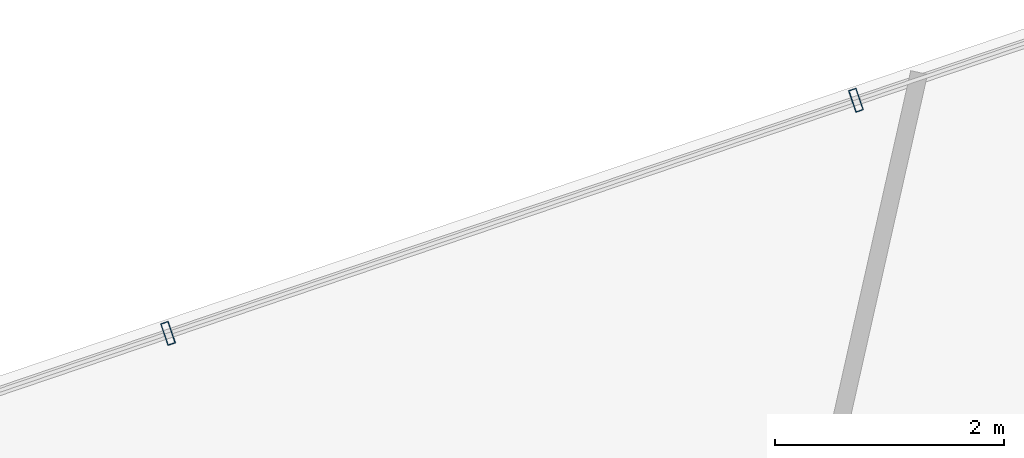
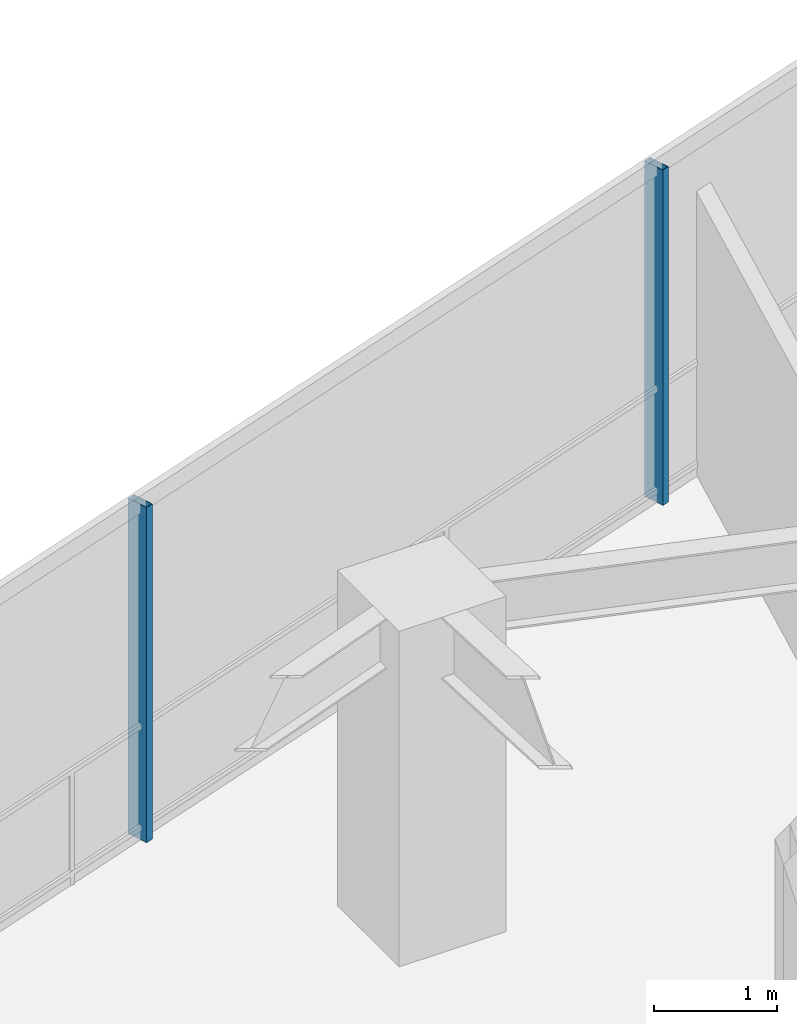
# One storey, part 13 of 20: 2 members, 1 element without a shape of its own.
"""IFC4 building model written with IfcOpenShell, lengths in metres."""

import ifcopenshell
import ifcopenshell.guid

model = None  # the IFC model being written
_history = None  # IfcOwnerHistory: only IFC2X3 demands one
_inside = {}  # id of a spatial element -> (the spatial element, [elements in it])
_under = {}  # id of a project, library or spatial element -> (it, [spatial elements below it])
_declared = {}  # id of a project -> (the project, [libraries it declares])
_typed = {}  # id of a type object -> (the type object, [elements of that type])
_made_of = {}  # id of a material, layer set ... -> (it, [elements and type objects made of it])


def new_model(schema):
    """Start an empty IFC model of exactly this schema.

    Asked for "IFC4X3", IfcOpenShell would pick the latest addendum, in which some entities
    have other attributes; the version numbers below select the first issue.
    IFC2X3 requires an IfcOwnerHistory on every rooted entity: one is made here for all.
    """
    global model, _history
    if schema == "IFC4X3":
        model = ifcopenshell.file(schema_version=(4, 3, 0, 0))
    else:
        model = ifcopenshell.file(schema=schema)
    _inside.clear()
    _under.clear()
    _declared.clear()
    _typed.clear()
    _made_of.clear()
    _history = None
    if model.schema == "IFC2X3":
        org = make("IfcOrganization", Name="unknown")
        user = make(
            "IfcPersonAndOrganization",
            ThePerson=make("IfcPerson", FamilyName="unknown"),
            TheOrganization=org,
        )
        app = make(
            "IfcApplication",
            ApplicationDeveloper=org,
            Version="unknown",
            ApplicationFullName="unknown",
            ApplicationIdentifier="unknown",
        )
        _history = make(
            "IfcOwnerHistory",
            OwningUser=user,
            OwningApplication=app,
            ChangeAction="ADDED",
            CreationDate=0,
        )
    return model


def make(cls, **values):
    """One entity of the class cls with the attributes given. An attribute that is None is left unset."""
    return model.create_entity(
        cls, **{name: value for name, value in values.items() if value is not None}
    )


def rooted(cls, **values):
    """An entity with a GlobalId (a new one), such as an element, a storey or a relation."""
    return make(cls, GlobalId=ifcopenshell.guid.new(), OwnerHistory=_history, **values)


def si_unit(unit_type, name, prefix=None):
    """IfcSIUnit, for example si_unit("LENGTHUNIT", "METRE", prefix="MILLI")."""
    return make("IfcSIUnit", UnitType=unit_type, Prefix=prefix, Name=name)


def assignment(units):
    """IfcUnitAssignment: the units of a project."""
    return None if units is None else make("IfcUnitAssignment", Units=units)


def point(xyz):
    """IfcCartesianPoint."""
    return None if xyz is None else make("IfcCartesianPoint", Coordinates=xyz)


def direction(xyz):
    """IfcDirection."""
    return None if xyz is None else make("IfcDirection", DirectionRatios=xyz)


def frame(location, z_axis=None, x_axis=None):
    """IfcAxis2Placement3D, a coordinate frame: its origin and axes. An axis left out is left unset."""
    return make(
        "IfcAxis2Placement3D",
        Location=point(location),
        Axis=direction(z_axis),
        RefDirection=direction(x_axis),
    )


def frame_2d(location, x_axis=None):
    """IfcAxis2Placement2D, a coordinate frame in the plane: its origin and x axis."""
    return make(
        "IfcAxis2Placement2D", Location=point(location), RefDirection=direction(x_axis)
    )


def origin():
    """The frame at (0, 0, 0) with its axes left unset."""
    return frame((0.0, 0.0, 0.0))


def origin_2d():
    """The frame at (0, 0) in the plane with its x axis left unset."""
    return frame_2d((0.0, 0.0))


def place(relative_to, where):
    """IfcLocalPlacement: puts the frame where relative to a parent placement (None: the world)."""
    return make(
        "IfcLocalPlacement", PlacementRelTo=relative_to, RelativePlacement=where
    )


def context(
    kind, dimensions, precision=None, world=None, true_north=None, identifier=None
):
    """IfcGeometricRepresentationContext, for example the 3D "Model" context."""
    return make(
        "IfcGeometricRepresentationContext",
        ContextIdentifier=identifier,
        ContextType=kind,
        CoordinateSpaceDimension=dimensions,
        Precision=precision,
        WorldCoordinateSystem=world,
        TrueNorth=true_north,
    )


def subcontext(parent, identifier, kind, view, scale=None):
    """IfcGeometricRepresentationSubContext, for example "Body" below "Model"."""
    return make(
        "IfcGeometricRepresentationSubContext",
        ContextIdentifier=identifier,
        ContextType=kind,
        ParentContext=parent,
        TargetScale=scale,
        TargetView=view,
    )


def project(units=None, contexts=None):
    """IfcProject with its units and contexts."""
    return rooted(
        "IfcProject",
        Name="project",
        RepresentationContexts=contexts,
        UnitsInContext=assignment(units),
    )


def spatial(cls, under=None, at=None, **own):
    """A site, building, storey or space (cls), placed at a placement, below another one or the project."""
    s = rooted(cls, ObjectPlacement=at, **own)
    if under is not None:
        _under.setdefault(under.id(), (under, []))[1].append(s)
    return s


def profile(cls, at=None, kind="AREA", **sizes):
    """A parametric profile (cls). Its sizes go by their IFC names, for example OverallWidth=200.0."""
    return make(cls, ProfileType=kind, Position=at, **sizes)


def hollow_rectangle(**sizes):
    """IfcRectangleHollowProfileDef."""
    return profile("IfcRectangleHollowProfileDef", **sizes)


def extrude(swept, where, along, depth):
    """IfcExtrudedAreaSolid: the profile swept, set in the frame where, extruded along a direction by depth."""
    return make(
        "IfcExtrudedAreaSolid",
        SweptArea=swept,
        Position=where,
        ExtrudedDirection=direction(along),
        Depth=depth,
    )


def shape(context_of_items, identifier, shape_type, items):
    """IfcShapeRepresentation: the items that make up one representation, for example the "Body"."""
    return make(
        "IfcShapeRepresentation",
        ContextOfItems=context_of_items,
        RepresentationIdentifier=identifier,
        RepresentationType=shape_type,
        Items=items,
    )


def material(Name=None, Category=None):
    """IfcMaterial."""
    return make("IfcMaterial", Name=Name, Category=Category)


def layer(
    of_material, thickness, ventilated=None, Name=None, Category=None, Priority=None
):
    """IfcMaterialLayer: one layer of a wall or slab, of a material (None: an air gap)."""
    return make(
        "IfcMaterialLayer",
        Material=of_material,
        LayerThickness=thickness,
        IsVentilated=ventilated,
        Name=Name,
        Category=Category,
        Priority=Priority,
    )


def layer_set(layers, Name=None):
    """IfcMaterialLayerSet."""
    return make("IfcMaterialLayerSet", MaterialLayers=layers, LayerSetName=Name)


def material_profile(
    of_material, cross_section, Name=None, Category=None, Priority=None
):
    """IfcMaterialProfile: a cross section and its material."""
    return make(
        "IfcMaterialProfile",
        Name=Name,
        Material=of_material,
        Profile=cross_section,
        Priority=Priority,
        Category=Category,
    )


def profile_set(profiles, Name=None, composite=None):
    """IfcMaterialProfileSet."""
    return make(
        "IfcMaterialProfileSet",
        Name=Name,
        MaterialProfiles=profiles,
        CompositeProfile=composite,
    )


def made_of(thing, what):
    """Note that an element or type object is made of a material, layer set ...; save() writes the relation."""
    if what is not None:
        _made_of.setdefault(what.id(), (what, []))[1].append(thing)
    return thing


def type_object(cls, material=None, **own):
    """A type object (cls), such as IfcWallType, which elements share."""
    return made_of(rooted(cls, **own), material)


def element(
    cls,
    number,
    at=None,
    inside=None,
    cuts=None,
    type_object=None,
    material=None,
    context=None,
    identifier="Body",
    shape_type=None,
    held_by="IfcProductDefinitionShape",
    body=None,
    shapes=None,
    **own,
):
    """One element of the class cls, such as IfcWall. Its Tag is "e" and its number.

    at: its placement. inside: the storey or other place that contains it. cuts: it is an
    opening in that element (IfcRelVoidsElement). A single representation is given by context,
    identifier, shape_type and body (its items); several are given by shapes. held_by: the class
    of the entity that holds the representations. save() writes the other relations.
    """
    e = rooted(cls, Tag="e%d" % number, ObjectPlacement=at, **own)
    if body is not None:
        shapes = [shape(context, identifier, shape_type, body)]
    if shapes is not None:
        e.Representation = make(held_by, Representations=shapes)
    if inside is not None:
        _inside.setdefault(inside.id(), (inside, []))[1].append(e)
    if cuts is not None:
        rooted(
            "IfcRelVoidsElement", RelatingBuildingElement=cuts, RelatedOpeningElement=e
        )
    if type_object is not None:
        _typed.setdefault(type_object.id(), (type_object, []))[1].append(e)
    return made_of(e, material)


def aggregate(whole, parts):
    """IfcRelAggregates: a whole, such as a stair, and the parts it consists of."""
    return rooted("IfcRelAggregates", RelatingObject=whole, RelatedObjects=parts)


def save(model, path):
    """Write the relations noted so far, then the file.

    IfcRelAggregates (storeys below a building ...), IfcRelContainedInSpatialStructure (elements
    in a storey), IfcRelDefinesByType, IfcRelAssociatesMaterial and IfcRelDeclares: one each for
    every whole, place, type object, material and project.
    """
    for whole, parts in _under.values():
        aggregate(whole, parts)
    for where, things in _inside.values():
        rooted(
            "IfcRelContainedInSpatialStructure",
            RelatedElements=things,
            RelatingStructure=where,
        )
    for kind, things in _typed.values():
        rooted("IfcRelDefinesByType", RelatedObjects=things, RelatingType=kind)
    for what, things in _made_of.values():
        rooted("IfcRelAssociatesMaterial", RelatedObjects=things, RelatingMaterial=what)
    for by, libraries in _declared.values():
        rooted("IfcRelDeclares", RelatingContext=by, RelatedDefinitions=libraries)
    model.write(path)


model = new_model("IFC4")

# Units and contexts
model_context = context("Model", 3, precision=1e-05, world=origin(), true_north=direction((0.0, 1.0)))
body_context = subcontext(model_context, "Body", "Model", "MODEL_VIEW")
ifc_project = project(units=[si_unit("LENGTHUNIT", "METRE"), si_unit("AREAUNIT", "SQUARE_METRE"), si_unit("VOLUMEUNIT", "CUBIC_METRE"), si_unit("PLANEANGLEUNIT", "RADIAN"), si_unit("MASSUNIT", "GRAM", prefix="KILO")], contexts=[model_context])

# Site, building, storey
site_placement = place(None, origin())
site = spatial("IfcSite", under=ifc_project, at=site_placement, CompositionType="ELEMENT")
building_placement = place(site_placement, origin())
building = spatial("IfcBuilding", under=site, at=building_placement, Name="Qarnah Convention Tower", CompositionType="ELEMENT")
storey_placement = place(building_placement, frame((0.0, 0.0, 136.5)))
storey = spatial("IfcBuildingStorey", under=building, at=storey_placement, Name="L36", CompositionType="ELEMENT", Elevation=136.5)

# Curtain wall, members
ifc_material_1 = material(Name="Tempered Low-E dark glass", Category="glass")
ifc_layer = layer(ifc_material_1, 0.172119140625)
ifc_layer_set = layer_set([ifc_layer], Name="Tempered Low-E dark glass")
curtain_wall_type = type_object("IfcCurtainWallType", Name="CWS-03", PredefinedType="NOTDEFINED", material=ifc_layer_set)
curtain_wall_placement = place(storey_placement, origin())
curtain_wall = element("IfcCurtainWall", 1, at=curtain_wall_placement, inside=storey, type_object=curtain_wall_type, Name="L36 unitised curtain wall CW-L36-F3", PredefinedType="NOTDEFINED")
ifc_material_2 = material(Name="Black anodised aluminium", Category="aluminium")
ifc_material_profile = material_profile(ifc_material_2, hollow_rectangle(XDim=0.070068359375, YDim=0.199951171875, WallThickness=0.0048828125, at=origin_2d()), Name="MUL-70X200")
ifc_profile_set = profile_set([ifc_material_profile], Name="Black anodised aluminium")
member_type = type_object("IfcMemberType", Name="MUL-T3", PredefinedType="MULLION", material=ifc_profile_set)
member_1_placement = place(storey_placement, frame((35.286376953125, 43.389892578125, 0.0), z_axis=(0.0, 0.0, 1.0), x_axis=(0.947092669717, 0.320960238921, 0.0)))
member_1 = element("IfcMember", 2, at=member_1_placement, type_object=member_type, Name="CW-L36-F3 mullion 4", PredefinedType="MULLION", context=body_context, shape_type="SweptSolid", body=[
    extrude(hollow_rectangle(XDim=0.070068359375, YDim=0.199951171875, WallThickness=0.0048828125, at=origin_2d()), origin(), (0.0, 0.0, 1.0), 3.320068359375),
])
member_2_placement = place(storey_placement, frame((41.297119140625, 45.427001953125, 0.0), z_axis=(0.0, 0.0, 1.0), x_axis=(0.947092669717, 0.320960238921, 0.0)))
member_2 = element("IfcMember", 3, at=member_2_placement, type_object=member_type, Name="CW-L36-F3 mullion 5", PredefinedType="MULLION", context=body_context, shape_type="SweptSolid", body=[
    extrude(hollow_rectangle(XDim=0.070068359375, YDim=0.199951171875, WallThickness=0.0048828125, at=origin_2d()), origin(), (0.0, 0.0, 1.0), 3.320068359375),
])
aggregate(curtain_wall, [member_1, member_2])

save(model, "model.ifc")
